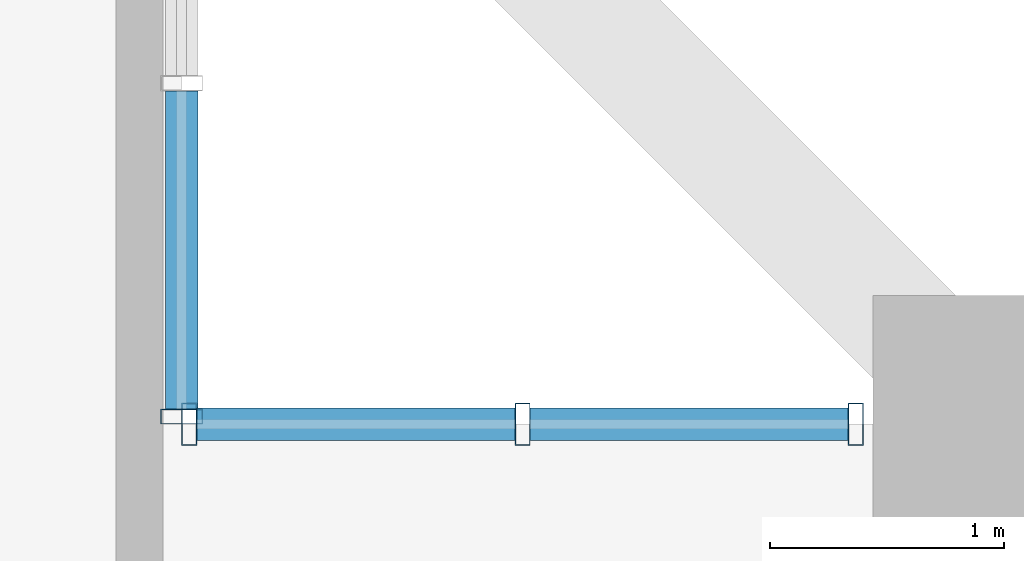
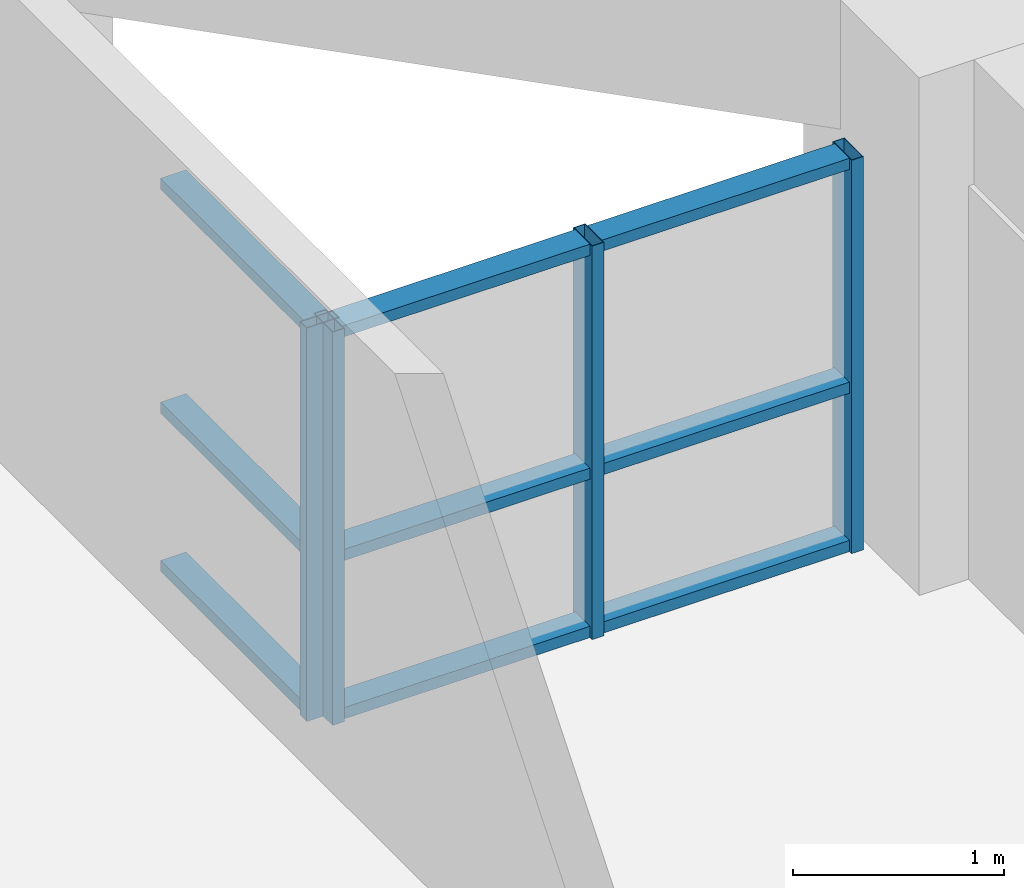
# One storey, part 10 of 27: 13 members, 2 elements without a shape of their own.
"""IFC4 building model written with IfcOpenShell, lengths in metres."""

from ifc_helpers import new_model, si_unit, direction, frame, origin, origin_2d, place, context, subcontext, project, spatial, hollow_rectangle, extrude, source, transform, mapped, material, layer, layer_set, material_profile, profile_set, type_object, element, aggregate, save


model = new_model("IFC4")

# Units and contexts
model_context = context("Model", 3, precision=1e-05, world=origin(), true_north=direction((0.0, 1.0)))
body_context = subcontext(model_context, "Body", "Model", "MODEL_VIEW")
ifc_project = project(units=[si_unit("LENGTHUNIT", "METRE"), si_unit("AREAUNIT", "SQUARE_METRE"), si_unit("VOLUMEUNIT", "CUBIC_METRE"), si_unit("PLANEANGLEUNIT", "RADIAN"), si_unit("MASSUNIT", "GRAM", prefix="KILO")], contexts=[model_context])

# Site, building, storey
site_placement = place(None, origin())
site = spatial("IfcSite", under=ifc_project, at=site_placement, CompositionType="ELEMENT")
building_placement = place(site_placement, origin())
building = spatial("IfcBuilding", under=site, at=building_placement, Name="Saelheon Loggia Tower", CompositionType="ELEMENT")
storey_placement = place(building_placement, frame((0.0, 0.0, 43.39990234375)))
storey = spatial("IfcBuildingStorey", under=building, at=storey_placement, Name="L13", CompositionType="ELEMENT", Elevation=43.39990234375)

# Curtain wall, member
ifc_material_1 = material(Name="Thermal-Break Aluminium and Triple Low-E Glass", Category="aluminium")
ifc_layer = layer(ifc_material_1, 0.159912109375)
ifc_layer_set = layer_set([ifc_layer], Name="Thermal-Break Aluminium and Triple Low-E Glass")
curtain_wall_type = type_object("IfcCurtainWallType", Name="CW_TowerLoggiaLow", PredefinedType="NOTDEFINED", material=ifc_layer_set)
curtain_wall_1_placement = place(storey_placement, origin())
curtain_wall_1 = element("IfcCurtainWall", 1, at=curtain_wall_1_placement, inside=storey, type_object=curtain_wall_type, Name="L13 Corner Notch Glazing NE1", PredefinedType="NOTDEFINED")
ifc_material_2 = material(Name="Anodised Aluminium 6063-T6", Category="aluminium")
ifc_material_profile_1 = material_profile(ifc_material_2, hollow_rectangle(XDim=0.06494140625, YDim=0.179931640625, WallThickness=0.00390625, at=origin_2d()), Name="RHS-180x65x4")
ifc_profile_set_1 = profile_set([ifc_material_profile_1], Name="Anodised Aluminium 6063-T6")
member_type_1 = type_object("IfcMemberType", Name="CW_TowerLoggiaLow_Mullion", PredefinedType="MULLION", material=ifc_profile_set_1)
shared_shape_1 = source(origin(), body_context, "Body", "SweptSolid", [
    extrude(hollow_rectangle(XDim=0.06494140625, YDim=0.179931640625, WallThickness=0.00390625, at=origin_2d()), origin(), (0.0, 0.0, 1.0), 2.280029296875),
])
member_1_placement = place(storey_placement, frame((60.5, 47.532470703125, 0.0), z_axis=(0.0, 0.0, 1.0), x_axis=(0.0, 1.0, 0.0)))
member_1 = element("IfcMember", 2, at=member_1_placement, type_object=member_type_1, Name="CW3 mullion 1", PredefinedType="MULLION", context=body_context, shape_type="MappedRepresentation", body=[
    mapped(shared_shape_1, transform((0.0, 0.0, 0.0), scale=1.0)),
])

# Curtain wall, members
curtain_wall_2_placement = place(storey_placement, origin())
curtain_wall_2 = element("IfcCurtainWall", 3, at=curtain_wall_2_placement, inside=storey, type_object=curtain_wall_type, Name="L13 Corner Notch Glazing NE2", PredefinedType="NOTDEFINED")
member_2_placement = place(storey_placement, frame((60.532470703125, 47.5, 0.0), z_axis=(0.0, 0.0, 1.0), x_axis=(1.0, 0.0, 0.0)))
member_2 = element("IfcMember", 4, at=member_2_placement, type_object=member_type_1, Name="CW3 mullion 1", PredefinedType="MULLION", context=body_context, shape_type="MappedRepresentation", body=[
    mapped(shared_shape_1, transform((0.0, 0.0, 0.0), scale=1.0)),
])
member_3_placement = place(storey_placement, frame((61.955078125, 47.5, 0.0), z_axis=(0.0, 0.0, 1.0), x_axis=(1.0, 0.0, 0.0)))
member_3 = element("IfcMember", 5, at=member_3_placement, type_object=member_type_1, Name="CW3 mullion 2", PredefinedType="MULLION", context=body_context, shape_type="MappedRepresentation", body=[
    mapped(shared_shape_1, transform((0.0, 0.0, 0.0), scale=1.0)),
])
member_4_placement = place(storey_placement, frame((63.37744140625, 47.5, 0.0), z_axis=(0.0, 0.0, 1.0), x_axis=(1.0, 0.0, 0.0)))
member_4 = element("IfcMember", 6, at=member_4_placement, type_object=member_type_1, Name="CW3 mullion 3", PredefinedType="MULLION", context=body_context, shape_type="MappedRepresentation", body=[
    mapped(shared_shape_1, transform((0.0, 0.0, 0.0), scale=1.0)),
])
ifc_material_profile_2 = material_profile(ifc_material_2, hollow_rectangle(XDim=0.06494140625, YDim=0.139892578125, WallThickness=0.00390625, at=origin_2d()), Name="RHS-140x65x4")
ifc_profile_set_2 = profile_set([ifc_material_profile_2], Name="Anodised Aluminium 6063-T6")
member_type_2 = type_object("IfcMemberType", Name="CW_TowerLoggiaLow_Transom", PredefinedType="USERDEFINED", material=ifc_profile_set_2)
shared_shape_2 = source(origin(), body_context, "Body", "SweptSolid", [
    extrude(hollow_rectangle(XDim=0.06494140625, YDim=0.139892578125, WallThickness=0.00390625, at=origin_2d()), origin(), (0.0, 0.0, 1.0), 1.357421875),
])
member_5_placement = place(storey_placement, frame((61.987548828125, 47.5, 0.03271484375), z_axis=(1.0, 0.0, 0.0), x_axis=(0.0, 0.0, 1.0)))
member_5 = element("IfcMember", 7, at=member_5_placement, type_object=member_type_2, Name="CW3 transom 2.1", ObjectType="TRANSOM", PredefinedType="USERDEFINED", context=body_context, shape_type="MappedRepresentation", body=[
    mapped(shared_shape_2, transform((0.0, 0.0, 0.0), scale=1.0)),
])
member_6_placement = place(storey_placement, frame((61.987548828125, 47.5, 0.9501953125), z_axis=(1.0, 0.0, 0.0), x_axis=(0.0, 0.0, 1.0)))
member_6 = element("IfcMember", 8, at=member_6_placement, type_object=member_type_2, Name="CW3 transom 2.2", ObjectType="TRANSOM", PredefinedType="USERDEFINED", context=body_context, shape_type="MappedRepresentation", body=[
    mapped(shared_shape_2, transform((0.0, 0.0, 0.0), scale=1.0)),
])
member_7_placement = place(storey_placement, frame((61.987548828125, 47.5, 2.24755859375), z_axis=(1.0, 0.0, 0.0), x_axis=(0.0, 0.0, 1.0)))
member_7 = element("IfcMember", 9, at=member_7_placement, type_object=member_type_2, Name="CW3 transom 2.3", ObjectType="TRANSOM", PredefinedType="USERDEFINED", context=body_context, shape_type="MappedRepresentation", body=[
    mapped(shared_shape_2, transform((0.0, 0.0, 0.0), scale=1.0)),
])

# Member
shared_shape_3 = source(origin(), body_context, "Body", "SweptSolid", [
    extrude(hollow_rectangle(XDim=0.06494140625, YDim=0.139892578125, WallThickness=0.00390625, at=origin_2d()), origin(), (0.0, 0.0, 1.0), 1.357666015625),
])
member_8_placement = place(storey_placement, frame((60.5, 47.56494140625, 0.03271484375), z_axis=(0.0, 1.0, 0.0), x_axis=(0.0, 0.0, 1.0)))
member_8 = element("IfcMember", 10, at=member_8_placement, type_object=member_type_2, Name="CW3 transom 1.1", ObjectType="TRANSOM", PredefinedType="USERDEFINED", context=body_context, shape_type="MappedRepresentation", body=[
    mapped(shared_shape_3, transform((0.0, 0.0, 0.0), scale=1.0)),
])

member_9_placement = place(storey_placement, frame((60.5, 47.56494140625, 0.9501953125), z_axis=(0.0, 1.0, 0.0), x_axis=(0.0, 0.0, 1.0)))
member_9 = element("IfcMember", 11, at=member_9_placement, type_object=member_type_2, Name="CW3 transom 1.2", ObjectType="TRANSOM", PredefinedType="USERDEFINED", context=body_context, shape_type="MappedRepresentation", body=[
    mapped(shared_shape_3, transform((0.0, 0.0, 0.0), scale=1.0)),
])

member_10_placement = place(storey_placement, frame((60.5, 47.56494140625, 2.24755859375), z_axis=(0.0, 1.0, 0.0), x_axis=(0.0, 0.0, 1.0)))
member_10 = element("IfcMember", 12, at=member_10_placement, type_object=member_type_2, Name="CW3 transom 1.3", ObjectType="TRANSOM", PredefinedType="USERDEFINED", context=body_context, shape_type="MappedRepresentation", body=[
    mapped(shared_shape_3, transform((0.0, 0.0, 0.0), scale=1.0)),
])

aggregate(curtain_wall_1, [member_1, member_8, member_9, member_10])

member_11_placement = place(storey_placement, frame((60.56494140625, 47.5, 0.03271484375), z_axis=(1.0, 0.0, 0.0), x_axis=(0.0, 0.0, 1.0)))
member_11 = element("IfcMember", 13, at=member_11_placement, type_object=member_type_2, Name="CW3 transom 1.1", ObjectType="TRANSOM", PredefinedType="USERDEFINED", context=body_context, shape_type="MappedRepresentation", body=[
    mapped(shared_shape_3, transform((0.0, 0.0, 0.0), scale=1.0)),
])

member_12_placement = place(storey_placement, frame((60.56494140625, 47.5, 0.9501953125), z_axis=(1.0, 0.0, 0.0), x_axis=(0.0, 0.0, 1.0)))
member_12 = element("IfcMember", 14, at=member_12_placement, type_object=member_type_2, Name="CW3 transom 1.2", ObjectType="TRANSOM", PredefinedType="USERDEFINED", context=body_context, shape_type="MappedRepresentation", body=[
    mapped(shared_shape_3, transform((0.0, 0.0, 0.0), scale=1.0)),
])

member_13_placement = place(storey_placement, frame((60.56494140625, 47.5, 2.24755859375), z_axis=(1.0, 0.0, 0.0), x_axis=(0.0, 0.0, 1.0)))
member_13 = element("IfcMember", 15, at=member_13_placement, type_object=member_type_2, Name="CW3 transom 1.3", ObjectType="TRANSOM", PredefinedType="USERDEFINED", context=body_context, shape_type="MappedRepresentation", body=[
    mapped(shared_shape_3, transform((0.0, 0.0, 0.0), scale=1.0)),
])

aggregate(curtain_wall_2, [member_2, member_3, member_4, member_11, member_12, member_13, member_5, member_6, member_7])

save(model, "model.ifc")
